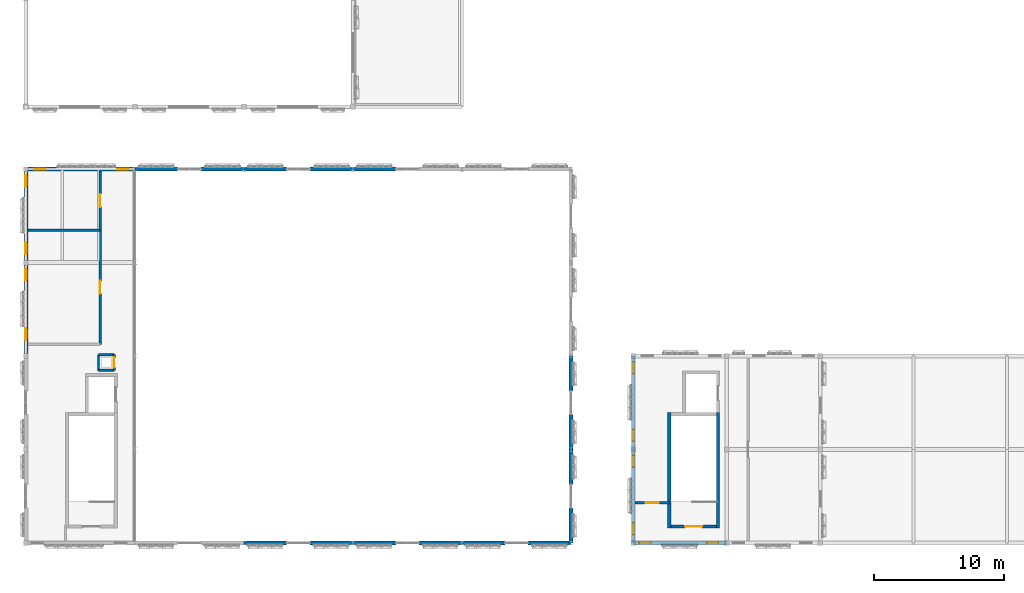
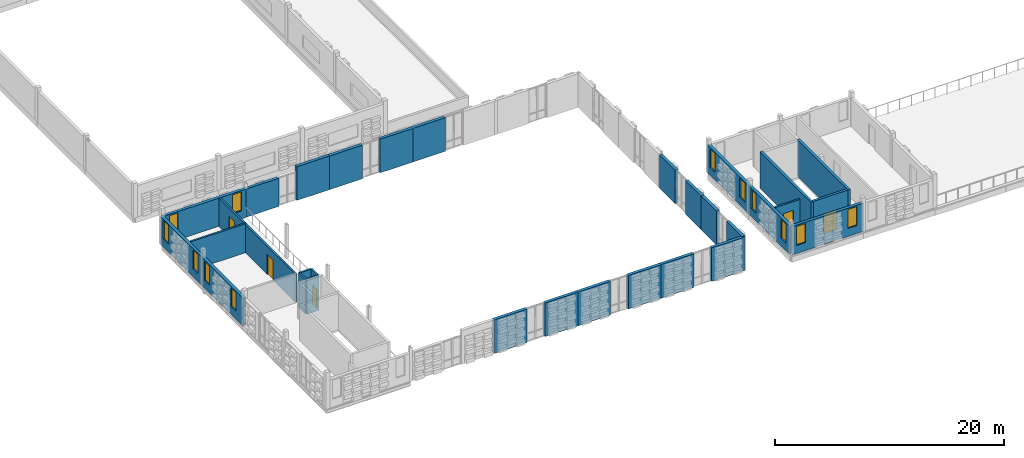
# One storey, part 35 of 57: 32 walls, 12 windows, 5 doors, 17 openings.
"""IFC4 building model written with IfcOpenShell, lengths in metres."""

from ifc_helpers import new_model, si_unit, direction, frame, frame_2d, origin, place, context, subcontext, project, spatial, rectangle, extrude, material, layer, layer_set, type_object, element, fill, save


model = new_model("IFC4")

# Units and contexts
model_context = context("Model", 3, precision=1e-05, world=origin(), true_north=direction((0.0, 1.0)))
body_context = subcontext(model_context, "Body", "Model", "MODEL_VIEW")
ifc_project = project(units=[si_unit("LENGTHUNIT", "METRE"), si_unit("AREAUNIT", "SQUARE_METRE"), si_unit("VOLUMEUNIT", "CUBIC_METRE"), si_unit("PLANEANGLEUNIT", "RADIAN"), si_unit("MASSUNIT", "GRAM", prefix="KILO")], contexts=[model_context])

# Site, building, storey
site_placement = place(None, origin())
site = spatial("IfcSite", under=ifc_project, at=site_placement, CompositionType="ELEMENT")
building_placement = place(site_placement, origin())
building = spatial("IfcBuilding", under=site, at=building_placement, Name="Kahlenmark Community Centre", CompositionType="ELEMENT")
storey_placement = place(building_placement, frame((0.0, 0.0, 13.800048828125)))
storey = spatial("IfcBuildingStorey", under=building, at=storey_placement, Name="L03", CompositionType="ELEMENT", Elevation=13.800048828125)

# Wall, opening, door
ifc_material_1 = material(Name="Concrete C35/45", Category="concrete")
ifc_layer_1 = layer(ifc_material_1, 0.25)
ifc_layer_set_1 = layer_set([ifc_layer_1], Name="Concrete C35/45")
wall_type_1 = type_object("IfcWallType", Name="WT-CORE-250", PredefinedType="SHEAR", material=ifc_layer_set_1)
wall_1_placement = place(storey_placement, frame((53.699951171875, 10.074951171875, 0.0), z_axis=(0.0, 0.0, 1.0), x_axis=(1.0, 0.0, 0.0)))
wall_1 = element("IfcWall", 1, at=wall_1_placement, inside=storey, type_object=wall_type_1, Name="Core K3 shear wall WL-CORE-K3-L03-0092", PredefinedType="SHEAR", context=body_context, shape_type="SweptSolid", body=[
    extrude(rectangle(XDim=3.5, YDim=0.25, at=frame_2d((1.75, 0.0))), origin(), (0.0, 0.0, 1.0), 3.89990234375),
])
opening_1_placement = place(wall_1_placement, frame((1.10009765625, 0.0, -0.010009765625)))
opening_1 = element("IfcOpeningElement", 2, at=opening_1_placement, cuts=wall_1, Name="Opening FD-K3-L03", PredefinedType="OPENING", context=body_context, shape_type="SweptSolid", body=[
    extrude(rectangle(XDim=1.300048828125, YDim=2.159912109375, at=frame_2d((0.64990234375, 1.080078125))), frame((0.0, 0.135009765625, 0.0), z_axis=(0.0, -1.0, 0.0), x_axis=(1.0, 0.0, 0.0)), (0.0, 0.0, 1.0), 0.27001953125),
])
ifc_material_2 = material(Name="Fire-rated steel-framed timber door FD60S", Category="steel")
door_type_1 = type_object("IfcDoorType", Name="DT-FD-K3-L03", OperationType="NOTDEFINED", PredefinedType="DOOR", material=ifc_material_2)
door_1_placement = place(opening_1_placement, frame((1.300048828125, 0.0, 0.010009765625), z_axis=(0.0, 0.0, 1.0), x_axis=(-1.0, 0.0, 0.0)))
door_1 = element("IfcDoor", 3, at=door_1_placement, inside=storey, type_object=door_type_1, Name="Core K3 stair fire door L03", OperationType="SINGLE_SWING_LEFT", OverallHeight=2.14990234375, OverallWidth=1.300048828125, PredefinedType="DOOR", context=body_context, shape_type="SweptSolid", body=[
    extrude(rectangle(XDim=1.300048828125, YDim=2.14990234375, at=frame_2d((0.64990234375, 1.074951171875))), frame((0.0, 0.02490234375, 0.0), z_axis=(0.0, -1.0, 0.0), x_axis=(1.0, 0.0, 0.0)), (0.0, 0.0, 1.0), 0.050048828125),
])
fill(opening_1, door_1)

# Walls
for number, where, z_axis, x_axis, name in (
    (4, (53.574951171875, 9.949951171875, 0.0), (0.0, 0.0, 1.0), (0.0, 1.0, 0.0), "Core K3 shear wall WL-CORE-K3-L03-0093"),
    (5, (57.324951171875, 9.949951171875, 0.0), (0.0, 0.0, 1.0), (0.0, 1.0, 0.0), "Core K3 shear wall WL-CORE-K3-L03-0095"),
):
    element("IfcWall", number, at=place(storey_placement, frame(where, z_axis=z_axis, x_axis=x_axis)), inside=storey, type_object=wall_type_1, Name=name, PredefinedType="SHEAR", context=body_context, shape_type="SweptSolid", body=[
        extrude(rectangle(XDim=8.900146484375, YDim=0.25, at=frame_2d((4.4501953125, 0.0))), origin(), (0.0, 0.0, 1.0), 3.89990234375),
    ])
ifc_material_3 = material(Name="Cross-laminated timber CLT C24", Category="wood")
ifc_layer_2 = layer(ifc_material_3, 0.300048828125)
ifc_layer_set_2 = layer_set([ifc_layer_2], Name="Cross-laminated timber CLT C24")
wall_type_2 = type_object("IfcWallType", Name="WT-EW-300", PredefinedType="SOLIDWALL", material=ifc_layer_set_2)
for number, where, z_axis, x_axis, name in (
    (6, (20.800048828125, 8.800048828125, 0.0), (0.0, 0.0, 1.0), (1.0, 0.0, 0.0), "Basketweave backup wall WL-EXT-L03-0548"),
    (7, (25.89990234375, 8.800048828125, 0.0), (0.0, 0.0, 1.0), (1.0, 0.0, 0.0), "Basketweave backup wall WL-EXT-L03-0549"),
    (8, (29.199951171875, 8.800048828125, 0.0), (0.0, 0.0, 1.0), (1.0, 0.0, 0.0), "Basketweave backup wall WL-EXT-L03-0550"),
    (9, (34.300048828125, 8.800048828125, 0.0), (0.0, 0.0, 1.0), (1.0, 0.0, 0.0), "Basketweave backup wall WL-EXT-L03-0551"),
):
    element("IfcWall", number, at=place(storey_placement, frame(where, z_axis=z_axis, x_axis=x_axis)), inside=storey, type_object=wall_type_2, Name=name, PredefinedType="SOLIDWALL", context=body_context, shape_type="SweptSolid", body=[
        extrude(rectangle(XDim=3.300048828125, YDim=0.300048828125, at=frame_2d((1.64990234375, 0.0))), origin(), (0.0, 0.0, 1.0), 3.58984375),
    ])
wall_2_placement = place(storey_placement, frame((37.60009765625, 8.800048828125, 0.0), z_axis=(0.0, 0.0, 1.0), x_axis=(1.0, 0.0, 0.0)))
element("IfcWall", 10, at=wall_2_placement, inside=storey, type_object=wall_type_2, Name="Basketweave backup wall WL-EXT-L03-0552", PredefinedType="SOLIDWALL", context=body_context, shape_type="SweptSolid", body=[
    extrude(rectangle(XDim=3.2998046875, YDim=0.300048828125, at=frame_2d((1.64990234375, 0.0))), origin(), (0.0, 0.0, 1.0), 3.599853515625),
])
wall_3_placement = place(storey_placement, frame((42.699951171875, 8.800048828125, 0.0), z_axis=(0.0, 0.0, 1.0), x_axis=(1.0, 0.0, 0.0)))
element("IfcWall", 11, at=wall_3_placement, inside=storey, type_object=wall_type_2, Name="Basketweave backup wall WL-EXT-L03-0553", PredefinedType="SOLIDWALL", context=body_context, shape_type="SweptSolid", body=[
    extrude(rectangle(XDim=3.300048828125, YDim=0.300048828125, at=frame_2d((1.64990234375, 0.0))), origin(), (0.0, 0.0, 1.0), 3.58984375),
])

# Wall, openings, windows
wall_4_placement = place(storey_placement, frame((12.39990234375, 37.60009765625, 0.0), z_axis=(0.0, 0.0, 1.0), x_axis=(-1.0, 0.0, 0.0)))
wall_4 = element("IfcWall", 12, at=wall_4_placement, inside=storey, type_object=wall_type_2, Name="Exterior wall WL-EXT-L03-0554", PredefinedType="SOLIDWALL", context=body_context, shape_type="SweptSolid", body=[
    extrude(rectangle(XDim=8.39990234375, YDim=0.300048828125, at=frame_2d((4.199951171875, 0.0))), origin(), (0.0, 0.0, 1.0), 3.010009765625),
])
opening_2_placement = place(wall_4_placement, frame((0.4599609375, 0.0, 0.85009765625)))
opening_2 = element("IfcOpeningElement", 13, at=opening_2_placement, cuts=wall_4, Name="Opening W-090X202", PredefinedType="OPENING", context=body_context, shape_type="SweptSolid", body=[
    extrude(rectangle(XDim=0.89990234375, YDim=2.02001953125, at=frame_2d((0.449951171875, 1.010009765625))), frame((0.0, 0.159912109375, 0.0), z_axis=(0.0, -1.0, 0.0), x_axis=(1.0, 0.0, 0.0)), (0.0, 0.0, 1.0), 0.320068359375),
])
opening_3_placement = place(wall_4_placement, frame((6.860107421875, 0.0, 0.85009765625)))
opening_3 = element("IfcOpeningElement", 14, at=opening_3_placement, cuts=wall_4, Name="Opening W-090X202", PredefinedType="OPENING", context=body_context, shape_type="SweptSolid", body=[
    extrude(rectangle(XDim=0.89990234375, YDim=2.02001953125, at=frame_2d((0.449951171875, 1.010009765625))), frame((0.0, 0.159912109375, 0.0), z_axis=(0.0, -1.0, 0.0), x_axis=(1.0, 0.0, 0.0)), (0.0, 0.0, 1.0), 0.320068359375),
])
ifc_material_4 = material(Name="Recessed basketweave aperture triple glazing", Category="glass")
window_type = type_object("IfcWindowType", Name="WNT-090X202", PartitioningType="SINGLE_PANEL", PredefinedType="WINDOW", material=ifc_material_4)
window_1_placement = place(opening_2_placement, origin())
window_1 = element("IfcWindow", 15, at=window_1_placement, inside=storey, type_object=window_type, Name="Window W-090X202 #0343", OverallHeight=2.02001953125, OverallWidth=0.89990234375, PartitioningType="SINGLE_PANEL", PredefinedType="WINDOW", context=body_context, shape_type="SweptSolid", body=[
    extrude(rectangle(XDim=0.89990234375, YDim=2.02001953125, at=frame_2d((0.449951171875, 1.010009765625))), frame((0.0, 0.030029296875, 0.0), z_axis=(0.0, -1.0, 0.0), x_axis=(1.0, 0.0, 0.0)), (0.0, 0.0, 1.0), 0.06005859375),
])
fill(opening_2, window_1)
window_2_placement = place(opening_3_placement, origin())
window_2 = element("IfcWindow", 16, at=window_2_placement, inside=storey, type_object=window_type, Name="Window W-090X202 #0344", OverallHeight=2.02001953125, OverallWidth=0.89990234375, PartitioningType="SINGLE_PANEL", PredefinedType="WINDOW", context=body_context, shape_type="SweptSolid", body=[
    extrude(rectangle(XDim=0.89990234375, YDim=2.02001953125, at=frame_2d((0.449951171875, 1.010009765625))), frame((0.0, 0.030029296875, 0.0), z_axis=(0.0, -1.0, 0.0), x_axis=(1.0, 0.0, 0.0)), (0.0, 0.0, 1.0), 0.06005859375),
])
fill(opening_3, window_2)

# Walls
wall_5_placement = place(storey_placement, frame((20.800048828125, 37.60009765625, 0.0), z_axis=(0.0, 0.0, 1.0), x_axis=(-1.0, 0.0, 0.0)))
element("IfcWall", 17, at=wall_5_placement, inside=storey, type_object=wall_type_2, Name="Basketweave backup wall WL-EXT-L03-0555", PredefinedType="SOLIDWALL", context=body_context, shape_type="SweptSolid", body=[
    extrude(rectangle(XDim=3.300048828125, YDim=0.300048828125, at=frame_2d((1.64990234375, 0.0))), origin(), (0.0, 0.0, 1.0), 3.599853515625),
])
wall_6_placement = place(storey_placement, frame((15.699951171875, 37.60009765625, 0.0), z_axis=(0.0, 0.0, 1.0), x_axis=(-1.0, 0.0, 0.0)))
element("IfcWall", 18, at=wall_6_placement, inside=storey, type_object=wall_type_2, Name="Basketweave backup wall WL-EXT-L03-0556", PredefinedType="SOLIDWALL", context=body_context, shape_type="SweptSolid", body=[
    extrude(rectangle(XDim=3.300048828125, YDim=0.300048828125, at=frame_2d((1.64990234375, 0.0))), origin(), (0.0, 0.0, 1.0), 3.010009765625),
])
for number, where, z_axis, x_axis, name in (
    (19, (29.199951171875, 37.60009765625, 0.0), (0.0, 0.0, 1.0), (-1.0, 0.0, 0.0), "Basketweave backup wall WL-EXT-L03-0557"),
    (20, (24.10009765625, 37.60009765625, 0.0), (0.0, 0.0, 1.0), (-1.0, 0.0, 0.0), "Basketweave backup wall WL-EXT-L03-0558"),
    (21, (32.5, 37.60009765625, 0.0), (0.0, 0.0, 1.0), (-1.0, 0.0, 0.0), "Basketweave backup wall WL-EXT-L03-0560"),
):
    element("IfcWall", number, at=place(storey_placement, frame(where, z_axis=z_axis, x_axis=x_axis)), inside=storey, type_object=wall_type_2, Name=name, PredefinedType="SOLIDWALL", context=body_context, shape_type="SweptSolid", body=[
        extrude(rectangle(XDim=3.300048828125, YDim=0.300048828125, at=frame_2d((1.64990234375, 0.0))), origin(), (0.0, 0.0, 1.0), 3.58984375),
    ])

# Wall, openings, windows
wall_7_placement = place(storey_placement, frame((4.0, 30.39990234375, 0.0), z_axis=(0.0, 0.0, 1.0), x_axis=(0.0, -1.0, 0.0)))
wall_7 = element("IfcWall", 22, at=wall_7_placement, inside=storey, type_object=wall_type_2, Name="Exterior wall WL-EXT-L03-0567", PredefinedType="SOLIDWALL", context=body_context, shape_type="SweptSolid", body=[
    extrude(rectangle(XDim=7.199951171875, YDim=0.300048828125, at=frame_2d((3.60009765625, 0.0))), origin(), (0.0, 0.0, 1.0), 3.010009765625),
])
opening_4_placement = place(wall_7_placement, frame((0.4599609375, 0.0, 0.85009765625)))
opening_4 = element("IfcOpeningElement", 23, at=opening_4_placement, cuts=wall_7, Name="Opening W-090X202", PredefinedType="OPENING", context=body_context, shape_type="SweptSolid", body=[
    extrude(rectangle(XDim=0.89990234375, YDim=2.02001953125, at=frame_2d((0.449951171875, 1.010009765625))), frame((0.0, 0.159912109375, 0.0), z_axis=(0.0, -1.0, 0.0), x_axis=(1.0, 0.0, 0.0)), (0.0, 0.0, 1.0), 0.320068359375),
])
opening_5_placement = place(wall_7_placement, frame((5.06005859375, 0.0, 0.85009765625)))
opening_5 = element("IfcOpeningElement", 24, at=opening_5_placement, cuts=wall_7, Name="Opening W-090X202", PredefinedType="OPENING", context=body_context, shape_type="SweptSolid", body=[
    extrude(rectangle(XDim=0.89990234375, YDim=2.02001953125, at=frame_2d((0.449951171875, 1.010009765625))), frame((0.0, 0.159912109375, 0.0), z_axis=(0.0, -1.0, 0.0), x_axis=(1.0, 0.0, 0.0)), (0.0, 0.0, 1.0), 0.320068359375),
])
window_3_placement = place(opening_4_placement, origin())
window_3 = element("IfcWindow", 25, at=window_3_placement, inside=storey, type_object=window_type, Name="Window W-090X202 #0345", OverallHeight=2.02001953125, OverallWidth=0.89990234375, PartitioningType="SINGLE_PANEL", PredefinedType="WINDOW", context=body_context, shape_type="SweptSolid", body=[
    extrude(rectangle(XDim=0.89990234375, YDim=2.02001953125, at=frame_2d((0.449951171875, 1.010009765625))), frame((0.0, 0.030029296875, 0.0), z_axis=(0.0, -1.0, 0.0), x_axis=(1.0, 0.0, 0.0)), (0.0, 0.0, 1.0), 0.06005859375),
])
fill(opening_4, window_3)
window_4_placement = place(opening_5_placement, origin())
window_4 = element("IfcWindow", 26, at=window_4_placement, inside=storey, type_object=window_type, Name="Window W-090X202 #0346", OverallHeight=2.02001953125, OverallWidth=0.89990234375, PartitioningType="SINGLE_PANEL", PredefinedType="WINDOW", context=body_context, shape_type="SweptSolid", body=[
    extrude(rectangle(XDim=0.89990234375, YDim=2.02001953125, at=frame_2d((0.449951171875, 1.010009765625))), frame((0.0, 0.030029296875, 0.0), z_axis=(0.0, -1.0, 0.0), x_axis=(1.0, 0.0, 0.0)), (0.0, 0.0, 1.0), 0.06005859375),
])
fill(opening_5, window_4)

wall_8_placement = place(storey_placement, frame((4.0, 37.60009765625, 0.0), z_axis=(0.0, 0.0, 1.0), x_axis=(0.0, -1.0, 0.0)))
wall_8 = element("IfcWall", 27, at=wall_8_placement, inside=storey, type_object=wall_type_2, Name="Exterior wall WL-EXT-L03-0568", PredefinedType="SOLIDWALL", context=body_context, shape_type="SweptSolid", body=[
    extrude(rectangle(XDim=7.2001953125, YDim=0.300048828125, at=frame_2d((3.60009765625, 0.0))), origin(), (0.0, 0.0, 1.0), 3.010009765625),
])
opening_6_placement = place(wall_8_placement, frame((0.4599609375, 0.0, 0.85009765625)))
opening_6 = element("IfcOpeningElement", 28, at=opening_6_placement, cuts=wall_8, Name="Opening W-090X202", PredefinedType="OPENING", context=body_context, shape_type="SweptSolid", body=[
    extrude(rectangle(XDim=0.89990234375, YDim=2.02001953125, at=frame_2d((0.449951171875, 1.010009765625))), frame((0.0, 0.159912109375, 0.0), z_axis=(0.0, -1.0, 0.0), x_axis=(1.0, 0.0, 0.0)), (0.0, 0.0, 1.0), 0.320068359375),
])
opening_7_placement = place(wall_8_placement, frame((5.659912109375, 0.0, 0.85009765625)))
opening_7 = element("IfcOpeningElement", 29, at=opening_7_placement, cuts=wall_8, Name="Opening W-090X202", PredefinedType="OPENING", context=body_context, shape_type="SweptSolid", body=[
    extrude(rectangle(XDim=0.89990234375, YDim=2.02001953125, at=frame_2d((0.449951171875, 1.010009765625))), frame((0.0, 0.159912109375, 0.0), z_axis=(0.0, -1.0, 0.0), x_axis=(1.0, 0.0, 0.0)), (0.0, 0.0, 1.0), 0.320068359375),
])
window_5_placement = place(opening_6_placement, origin())
window_5 = element("IfcWindow", 30, at=window_5_placement, inside=storey, type_object=window_type, Name="Window W-090X202 #0347", OverallHeight=2.02001953125, OverallWidth=0.89990234375, PartitioningType="SINGLE_PANEL", PredefinedType="WINDOW", context=body_context, shape_type="SweptSolid", body=[
    extrude(rectangle(XDim=0.89990234375, YDim=2.02001953125, at=frame_2d((0.449951171875, 1.010009765625))), frame((0.0, 0.030029296875, 0.0), z_axis=(0.0, -1.0, 0.0), x_axis=(1.0, 0.0, 0.0)), (0.0, 0.0, 1.0), 0.06005859375),
])
fill(opening_6, window_5)
window_6_placement = place(opening_7_placement, origin())
window_6 = element("IfcWindow", 31, at=window_6_placement, inside=storey, type_object=window_type, Name="Window W-090X202 #0348", OverallHeight=2.02001953125, OverallWidth=0.89990234375, PartitioningType="SINGLE_PANEL", PredefinedType="WINDOW", context=body_context, shape_type="SweptSolid", body=[
    extrude(rectangle(XDim=0.89990234375, YDim=2.02001953125, at=frame_2d((0.449951171875, 1.010009765625))), frame((0.0, 0.030029296875, 0.0), z_axis=(0.0, -1.0, 0.0), x_axis=(1.0, 0.0, 0.0)), (0.0, 0.0, 1.0), 0.06005859375),
])
fill(opening_7, window_6)

# Walls
for number, where, z_axis, x_axis, name in (
    (32, (46.0, 8.800048828125, 0.0), (0.0, 0.0, 1.0), (0.0, 1.0, 0.0), "Basketweave backup wall WL-EXT-L03-0569"),
    (33, (46.0, 13.300048828125, 0.0), (0.0, 0.0, 1.0), (0.0, 1.0, 0.0), "Basketweave backup wall WL-EXT-L03-0570"),
    (34, (46.0, 16.0, 0.0), (0.0, 0.0, 1.0), (0.0, 1.0, 0.0), "Basketweave backup wall WL-EXT-L03-0571"),
    (35, (46.0, 20.5, 0.0), (0.0, 0.0, 1.0), (0.0, 1.0, 0.0), "Basketweave backup wall WL-EXT-L03-0572"),
):
    element("IfcWall", number, at=place(storey_placement, frame(where, z_axis=z_axis, x_axis=x_axis)), inside=storey, type_object=wall_type_2, Name=name, PredefinedType="SOLIDWALL", context=body_context, shape_type="SweptSolid", body=[
        extrude(rectangle(XDim=2.699951171875, YDim=0.300048828125, at=frame_2d((1.35009765625, 0.0))), origin(), (0.0, 0.0, 1.0), 3.58984375),
    ])

# Wall, openings, windows
wall_9_placement = place(storey_placement, frame((50.800048828125, 8.800048828125, 0.0), z_axis=(0.0, 0.0, 1.0), x_axis=(1.0, 0.0, 0.0)))
wall_9 = element("IfcWall", 36, at=wall_9_placement, inside=storey, type_object=wall_type_2, Name="L03 conservatory wall WL-L03-PAV-0703", PredefinedType="SOLIDWALL", context=body_context, shape_type="SweptSolid", body=[
    extrude(rectangle(XDim=7.199951171875, YDim=0.300048828125, at=frame_2d((3.60009765625, 0.0))), origin(), (0.0, 0.0, 1.0), 3.010009765625),
])
opening_8_placement = place(wall_9_placement, frame((0.4599609375, 0.0, 0.85009765625)))
opening_8 = element("IfcOpeningElement", 37, at=opening_8_placement, cuts=wall_9, Name="Opening W-090X202", PredefinedType="OPENING", context=body_context, shape_type="SweptSolid", body=[
    extrude(rectangle(XDim=0.89990234375, YDim=2.02001953125, at=frame_2d((0.449951171875, 1.010009765625))), frame((0.0, 0.159912109375, 0.0), z_axis=(0.0, -1.0, 0.0), x_axis=(1.0, 0.0, 0.0)), (0.0, 0.0, 1.0), 0.320068359375),
])
opening_9_placement = place(wall_9_placement, frame((5.659912109375, 0.0, 0.85009765625)))
opening_9 = element("IfcOpeningElement", 38, at=opening_9_placement, cuts=wall_9, Name="Opening W-090X202", PredefinedType="OPENING", context=body_context, shape_type="SweptSolid", body=[
    extrude(rectangle(XDim=0.89990234375, YDim=2.02001953125, at=frame_2d((0.449951171875, 1.010009765625))), frame((0.0, 0.159912109375, 0.0), z_axis=(0.0, -1.0, 0.0), x_axis=(1.0, 0.0, 0.0)), (0.0, 0.0, 1.0), 0.320068359375),
])
window_7_placement = place(opening_8_placement, origin())
window_7 = element("IfcWindow", 39, at=window_7_placement, inside=storey, type_object=window_type, Name="Window W-090X202 #0483", OverallHeight=2.02001953125, OverallWidth=0.89990234375, PartitioningType="SINGLE_PANEL", PredefinedType="WINDOW", context=body_context, shape_type="SweptSolid", body=[
    extrude(rectangle(XDim=0.89990234375, YDim=2.02001953125, at=frame_2d((0.449951171875, 1.010009765625))), frame((0.0, 0.030029296875, 0.0), z_axis=(0.0, -1.0, 0.0), x_axis=(1.0, 0.0, 0.0)), (0.0, 0.0, 1.0), 0.06005859375),
])
fill(opening_8, window_7)
window_8_placement = place(opening_9_placement, origin())
window_8 = element("IfcWindow", 40, at=window_8_placement, inside=storey, type_object=window_type, Name="Window W-090X202 #0484", OverallHeight=2.02001953125, OverallWidth=0.89990234375, PartitioningType="SINGLE_PANEL", PredefinedType="WINDOW", context=body_context, shape_type="SweptSolid", body=[
    extrude(rectangle(XDim=0.89990234375, YDim=2.02001953125, at=frame_2d((0.449951171875, 1.010009765625))), frame((0.0, 0.030029296875, 0.0), z_axis=(0.0, -1.0, 0.0), x_axis=(1.0, 0.0, 0.0)), (0.0, 0.0, 1.0), 0.06005859375),
])
fill(opening_9, window_8)

wall_10_placement = place(storey_placement, frame((50.800048828125, 23.199951171875, 0.0), z_axis=(0.0, 0.0, 1.0), x_axis=(0.0, -1.0, 0.0)))
wall_10 = element("IfcWall", 41, at=wall_10_placement, inside=storey, type_object=wall_type_2, Name="L03 conservatory wall WL-L03-PAV-0707", PredefinedType="SOLIDWALL", context=body_context, shape_type="SweptSolid", body=[
    extrude(rectangle(XDim=7.199951171875, YDim=0.300048828125, at=frame_2d((3.60009765625, 0.0))), origin(), (0.0, 0.0, 1.0), 3.010009765625),
])
opening_10_placement = place(wall_10_placement, frame((0.4599609375, 0.0, 0.85009765625)))
opening_10 = element("IfcOpeningElement", 42, at=opening_10_placement, cuts=wall_10, Name="Opening W-090X202", PredefinedType="OPENING", context=body_context, shape_type="SweptSolid", body=[
    extrude(rectangle(XDim=0.89990234375, YDim=2.02001953125, at=frame_2d((0.449951171875, 1.010009765625))), frame((0.0, 0.159912109375, 0.0), z_axis=(0.0, -1.0, 0.0), x_axis=(1.0, 0.0, 0.0)), (0.0, 0.0, 1.0), 0.320068359375),
])
opening_11_placement = place(wall_10_placement, frame((5.659912109375, 0.0, 0.85009765625)))
opening_11 = element("IfcOpeningElement", 43, at=opening_11_placement, cuts=wall_10, Name="Opening W-090X202", PredefinedType="OPENING", context=body_context, shape_type="SweptSolid", body=[
    extrude(rectangle(XDim=0.89990234375, YDim=2.02001953125, at=frame_2d((0.449951171875, 1.010009765625))), frame((0.0, 0.159912109375, 0.0), z_axis=(0.0, -1.0, 0.0), x_axis=(1.0, 0.0, 0.0)), (0.0, 0.0, 1.0), 0.320068359375),
])
window_9_placement = place(opening_10_placement, origin())
window_9 = element("IfcWindow", 44, at=window_9_placement, inside=storey, type_object=window_type, Name="Window W-090X202 #0491", OverallHeight=2.02001953125, OverallWidth=0.89990234375, PartitioningType="SINGLE_PANEL", PredefinedType="WINDOW", context=body_context, shape_type="SweptSolid", body=[
    extrude(rectangle(XDim=0.89990234375, YDim=2.02001953125, at=frame_2d((0.449951171875, 1.010009765625))), frame((0.0, 0.030029296875, 0.0), z_axis=(0.0, -1.0, 0.0), x_axis=(1.0, 0.0, 0.0)), (0.0, 0.0, 1.0), 0.06005859375),
])
fill(opening_10, window_9)
window_10_placement = place(opening_11_placement, origin())
window_10 = element("IfcWindow", 45, at=window_10_placement, inside=storey, type_object=window_type, Name="Window W-090X202 #0492", OverallHeight=2.02001953125, OverallWidth=0.89990234375, PartitioningType="SINGLE_PANEL", PredefinedType="WINDOW", context=body_context, shape_type="SweptSolid", body=[
    extrude(rectangle(XDim=0.89990234375, YDim=2.02001953125, at=frame_2d((0.449951171875, 1.010009765625))), frame((0.0, 0.030029296875, 0.0), z_axis=(0.0, -1.0, 0.0), x_axis=(1.0, 0.0, 0.0)), (0.0, 0.0, 1.0), 0.06005859375),
])
fill(opening_11, window_10)

wall_11_placement = place(storey_placement, frame((50.800048828125, 16.0, 0.0), z_axis=(0.0, 0.0, 1.0), x_axis=(0.0, -1.0, 0.0)))
wall_11 = element("IfcWall", 46, at=wall_11_placement, inside=storey, type_object=wall_type_2, Name="L03 conservatory wall WL-L03-PAV-0708", PredefinedType="SOLIDWALL", context=body_context, shape_type="SweptSolid", body=[
    extrude(rectangle(XDim=7.199951171875, YDim=0.300048828125, at=frame_2d((3.60009765625, 0.0))), origin(), (0.0, 0.0, 1.0), 3.010009765625),
])
opening_12_placement = place(wall_11_placement, frame((0.4599609375, 0.0, 0.85009765625)))
opening_12 = element("IfcOpeningElement", 47, at=opening_12_placement, cuts=wall_11, Name="Opening W-090X202", PredefinedType="OPENING", context=body_context, shape_type="SweptSolid", body=[
    extrude(rectangle(XDim=0.89990234375, YDim=2.02001953125, at=frame_2d((0.449951171875, 1.010009765625))), frame((0.0, 0.159912109375, 0.0), z_axis=(0.0, -1.0, 0.0), x_axis=(1.0, 0.0, 0.0)), (0.0, 0.0, 1.0), 0.320068359375),
])
opening_13_placement = place(wall_11_placement, frame((5.659912109375, 0.0, 0.85009765625)))
opening_13 = element("IfcOpeningElement", 48, at=opening_13_placement, cuts=wall_11, Name="Opening W-090X202", PredefinedType="OPENING", context=body_context, shape_type="SweptSolid", body=[
    extrude(rectangle(XDim=0.89990234375, YDim=2.02001953125, at=frame_2d((0.449951171875, 1.010009765625))), frame((0.0, 0.159912109375, 0.0), z_axis=(0.0, -1.0, 0.0), x_axis=(1.0, 0.0, 0.0)), (0.0, 0.0, 1.0), 0.320068359375),
])
window_11_placement = place(opening_12_placement, origin())
window_11 = element("IfcWindow", 49, at=window_11_placement, inside=storey, type_object=window_type, Name="Window W-090X202 #0493", OverallHeight=2.02001953125, OverallWidth=0.89990234375, PartitioningType="SINGLE_PANEL", PredefinedType="WINDOW", context=body_context, shape_type="SweptSolid", body=[
    extrude(rectangle(XDim=0.89990234375, YDim=2.02001953125, at=frame_2d((0.449951171875, 1.010009765625))), frame((0.0, 0.030029296875, 0.0), z_axis=(0.0, -1.0, 0.0), x_axis=(1.0, 0.0, 0.0)), (0.0, 0.0, 1.0), 0.06005859375),
])
fill(opening_12, window_11)
window_12_placement = place(opening_13_placement, origin())
window_12 = element("IfcWindow", 50, at=window_12_placement, inside=storey, type_object=window_type, Name="Window W-090X202 #0494", OverallHeight=2.02001953125, OverallWidth=0.89990234375, PartitioningType="SINGLE_PANEL", PredefinedType="WINDOW", context=body_context, shape_type="SweptSolid", body=[
    extrude(rectangle(XDim=0.89990234375, YDim=2.02001953125, at=frame_2d((0.449951171875, 1.010009765625))), frame((0.0, 0.030029296875, 0.0), z_axis=(0.0, -1.0, 0.0), x_axis=(1.0, 0.0, 0.0)), (0.0, 0.0, 1.0), 0.06005859375),
])
fill(opening_13, window_12)

# Wall, opening, door
ifc_material_5 = material(Name="Gypsum plasterboard partition", Category="gypsum")
ifc_layer_3 = layer(ifc_material_5, 0.179931640625)
ifc_layer_set_3 = layer_set([ifc_layer_3], Name="Gypsum plasterboard partition")
wall_type_3 = type_object("IfcWallType", Name="WT-PW-180", PredefinedType="PARTITIONING", material=ifc_layer_set_3)
wall_12_placement = place(storey_placement, frame((9.719970703125, 24.10009765625, 0.0), z_axis=(0.0, 0.0, 1.0), x_axis=(0.0, 1.0, 0.0)))
wall_12 = element("IfcWall", 51, at=wall_12_placement, inside=storey, type_object=wall_type_3, Name="Interior partition WL-INT-L03-0213", PredefinedType="PARTITIONING", context=body_context, shape_type="SweptSolid", body=[
    extrude(rectangle(XDim=8.7998046875, YDim=0.179931640625, at=frame_2d((4.39990234375, 0.0))), origin(), (0.0, 0.0, 1.0), 3.010009765625),
])
opening_14_placement = place(wall_12_placement, frame((3.89990234375, 0.0, -0.010009765625)))
opening_14 = element("IfcOpeningElement", 52, at=opening_14_placement, cuts=wall_12, Name="Opening D-L03-122", PredefinedType="OPENING", context=body_context, shape_type="SweptSolid", body=[
    extrude(rectangle(XDim=1.0, YDim=2.159912109375, at=frame_2d((0.5, 1.080078125))), frame((0.0, 0.099853515625, 0.0), z_axis=(0.0, -1.0, 0.0), x_axis=(1.0, 0.0, 0.0)), (0.0, 0.0, 1.0), 0.199951171875),
])
ifc_material_6 = material(Name="Oak timber veneer door leaf", Category="wood")
door_type_2 = type_object("IfcDoorType", Name="DT-INT-100X215", OperationType="NOTDEFINED", PredefinedType="DOOR", material=ifc_material_6)
door_2_placement = place(opening_14_placement, frame((0.0, 0.0, 0.010009765625)))
door_2 = element("IfcDoor", 53, at=door_2_placement, inside=storey, type_object=door_type_2, Name="Interior door D-L03-122", OperationType="SINGLE_SWING_LEFT", OverallHeight=2.14990234375, OverallWidth=1.0, PredefinedType="DOOR", context=body_context, shape_type="SweptSolid", body=[
    extrude(rectangle(XDim=1.0, YDim=2.14990234375, at=frame_2d((0.5, 1.074951171875))), frame((0.0, 0.02490234375, 0.0), z_axis=(0.0, -1.0, 0.0), x_axis=(1.0, 0.0, 0.0)), (0.0, 0.0, 1.0), 0.050048828125),
])
fill(opening_14, door_2)

wall_13_placement = place(storey_placement, frame((9.719970703125, 32.89990234375, 0.0), z_axis=(0.0, 0.0, 1.0), x_axis=(0.0, 1.0, 0.0)))
wall_13 = element("IfcWall", 54, at=wall_13_placement, inside=storey, type_object=wall_type_3, Name="Interior partition WL-INT-L03-0214", PredefinedType="PARTITIONING", context=body_context, shape_type="SweptSolid", body=[
    extrude(rectangle(XDim=4.56005859375, YDim=0.179931640625, at=frame_2d((2.280029296875, 0.0))), origin(), (0.0, 0.0, 1.0), 3.010009765625),
])
opening_15_placement = place(wall_13_placement, frame((1.780029296875, 0.0, -0.010009765625)))
opening_15 = element("IfcOpeningElement", 55, at=opening_15_placement, cuts=wall_13, Name="Opening D-L03-123", PredefinedType="OPENING", context=body_context, shape_type="SweptSolid", body=[
    extrude(rectangle(XDim=1.0, YDim=2.159912109375, at=frame_2d((0.5, 1.080078125))), frame((0.0, 0.099853515625, 0.0), z_axis=(0.0, -1.0, 0.0), x_axis=(1.0, 0.0, 0.0)), (0.0, 0.0, 1.0), 0.199951171875),
])
door_3_placement = place(opening_15_placement, frame((1.0, 0.0, 0.010009765625), z_axis=(0.0, 0.0, 1.0), x_axis=(-1.0, 0.0, 0.0)))
door_3 = element("IfcDoor", 56, at=door_3_placement, inside=storey, type_object=door_type_2, Name="Interior door D-L03-123", OperationType="SINGLE_SWING_RIGHT", OverallHeight=2.14990234375, OverallWidth=1.0, PredefinedType="DOOR", context=body_context, shape_type="SweptSolid", body=[
    extrude(rectangle(XDim=1.0, YDim=2.14990234375, at=frame_2d((0.5, 1.074951171875))), frame((0.0, 0.02490234375, 0.0), z_axis=(0.0, -1.0, 0.0), x_axis=(1.0, 0.0, 0.0)), (0.0, 0.0, 1.0), 0.050048828125),
])
fill(opening_15, door_3)

# Wall
wall_14_placement = place(storey_placement, frame((4.159912109375, 32.89990234375, 0.0), z_axis=(0.0, 0.0, 1.0), x_axis=(1.0, 0.0, 0.0)))
element("IfcWall", 57, at=wall_14_placement, inside=storey, type_object=wall_type_3, Name="Interior partition WL-INT-L03-0215", PredefinedType="PARTITIONING", context=body_context, shape_type="SweptSolid", body=[
    extrude(rectangle(XDim=5.56005859375, YDim=0.179931640625, at=frame_2d((2.780029296875, 0.0))), origin(), (0.0, 0.0, 1.0), 3.08984375),
])

# Wall, opening, door
wall_15_placement = place(storey_placement, frame((50.93994140625, 11.89990234375, 0.0), z_axis=(0.0, 0.0, 1.0), x_axis=(1.0, 0.0, 0.0)))
wall_15 = element("IfcWall", 58, at=wall_15_placement, inside=storey, type_object=wall_type_3, Name="Interior partition WL-INT-L03-0216", PredefinedType="PARTITIONING", context=body_context, shape_type="SweptSolid", body=[
    extrude(rectangle(XDim=2.66015625, YDim=0.179931640625, at=frame_2d((1.330078125, 0.0))), origin(), (0.0, 0.0, 1.0), 3.08984375),
])
opening_16_placement = place(wall_15_placement, frame((0.830078125, 0.0, -0.010009765625)))
opening_16 = element("IfcOpeningElement", 59, at=opening_16_placement, cuts=wall_15, Name="Opening D-L03-124", PredefinedType="OPENING", context=body_context, shape_type="SweptSolid", body=[
    extrude(rectangle(XDim=1.0, YDim=2.159912109375, at=frame_2d((0.5, 1.080078125))), frame((0.0, 0.099853515625, 0.0), z_axis=(0.0, -1.0, 0.0), x_axis=(1.0, 0.0, 0.0)), (0.0, 0.0, 1.0), 0.199951171875),
])
door_4_placement = place(opening_16_placement, frame((0.0, 0.0, 0.010009765625)))
door_4 = element("IfcDoor", 60, at=door_4_placement, inside=storey, type_object=door_type_2, Name="Interior door D-L03-124", OperationType="SINGLE_SWING_LEFT", OverallHeight=2.14990234375, OverallWidth=1.0, PredefinedType="DOOR", context=body_context, shape_type="SweptSolid", body=[
    extrude(rectangle(XDim=1.0, YDim=2.14990234375, at=frame_2d((0.5, 1.074951171875))), frame((0.0, 0.02490234375, 0.0), z_axis=(0.0, -1.0, 0.0), x_axis=(1.0, 0.0, 0.0)), (0.0, 0.0, 1.0), 0.050048828125),
])
fill(opening_16, door_4)

# Wall
ifc_material_7 = material(Name="Masonry blockwork", Category="masonry")
ifc_layer_4 = layer(ifc_material_7, 0.179931640625)
ifc_layer_set_4 = layer_set([ifc_layer_4], Name="Masonry blockwork")
wall_type_4 = type_object("IfcWallType", Name="WT-RISER-180", PredefinedType="SOLIDWALL", material=ifc_layer_set_4)
wall_16_placement = place(storey_placement, frame((9.60009765625, 22.10009765625, 0.0), z_axis=(0.0, 0.0, 1.0), x_axis=(1.0, 0.0, 0.0)))
element("IfcWall", 61, at=wall_16_placement, inside=storey, type_object=wall_type_4, Name="Riser RS-01 shaft wall L03.1", PredefinedType="SOLIDWALL", context=body_context, shape_type="SweptSolid", body=[
    extrude(rectangle(XDim=1.199951171875, YDim=0.179931640625, at=frame_2d((0.60009765625, 0.0))), origin(), (0.0, 0.0, 1.0), 3.68994140625),
])

# Wall, opening, door
wall_17_placement = place(storey_placement, frame((10.800048828125, 22.10009765625, 0.0), z_axis=(0.0, 0.0, 1.0), x_axis=(0.0, 1.0, 0.0)))
wall_17 = element("IfcWall", 62, at=wall_17_placement, inside=storey, type_object=wall_type_4, Name="Riser RS-01 shaft wall L03.2", PredefinedType="SOLIDWALL", context=body_context, shape_type="SweptSolid", body=[
    extrude(rectangle(XDim=1.199951171875, YDim=0.179931640625, at=frame_2d((0.60009765625, 0.0))), origin(), (0.0, 0.0, 1.0), 3.68994140625),
])
opening_17_placement = place(wall_17_placement, frame((0.199951171875, 0.0, -0.010009765625)))
opening_17 = element("IfcOpeningElement", 63, at=opening_17_placement, cuts=wall_17, Name="Opening FD-RS80", PredefinedType="OPENING", context=body_context, shape_type="SweptSolid", body=[
    extrude(rectangle(XDim=0.800048828125, YDim=2.06005859375, at=frame_2d((0.39990234375, 1.030029296875))), frame((0.0, 0.099853515625, 0.0), z_axis=(0.0, -1.0, 0.0), x_axis=(1.0, 0.0, 0.0)), (0.0, 0.0, 1.0), 0.199951171875),
])
ifc_material_8 = material(Name="Fire-rated steel service riser door FD60S", Category="steel")
door_type_3 = type_object("IfcDoorType", Name="DT-RISER-80X205", OperationType="NOTDEFINED", PredefinedType="DOOR", material=ifc_material_8)
door_5_placement = place(opening_17_placement, frame((0.0, 0.0, 0.010009765625)))
door_5 = element("IfcDoor", 64, at=door_5_placement, inside=storey, type_object=door_type_3, Name="Riser RS-01 access door L03", OperationType="SINGLE_SWING_RIGHT", OverallHeight=2.050048828125, OverallWidth=0.800048828125, PredefinedType="DOOR", context=body_context, shape_type="SweptSolid", body=[
    extrude(rectangle(XDim=0.800048828125, YDim=2.050048828125, at=frame_2d((0.39990234375, 1.02490234375))), frame((0.0, 0.02490234375, 0.0), z_axis=(0.0, -1.0, 0.0), x_axis=(1.0, 0.0, 0.0)), (0.0, 0.0, 1.0), 0.050048828125),
])
fill(opening_17, door_5)

# Walls
for number, where, z_axis, x_axis, name in (
    (65, (10.800048828125, 23.300048828125, 0.0), (0.0, 0.0, 1.0), (-1.0, 0.0, 0.0), "Riser RS-01 shaft wall L03.3"),
    (66, (9.60009765625, 23.300048828125, 0.0), (0.0, 0.0, 1.0), (0.0, -1.0, 0.0), "Riser RS-01 shaft wall L03.4"),
):
    element("IfcWall", number, at=place(storey_placement, frame(where, z_axis=z_axis, x_axis=x_axis)), inside=storey, type_object=wall_type_4, Name=name, PredefinedType="SOLIDWALL", context=body_context, shape_type="SweptSolid", body=[
        extrude(rectangle(XDim=1.199951171875, YDim=0.179931640625, at=frame_2d((0.60009765625, 0.0))), origin(), (0.0, 0.0, 1.0), 3.68994140625),
    ])

save(model, "model.ifc")
